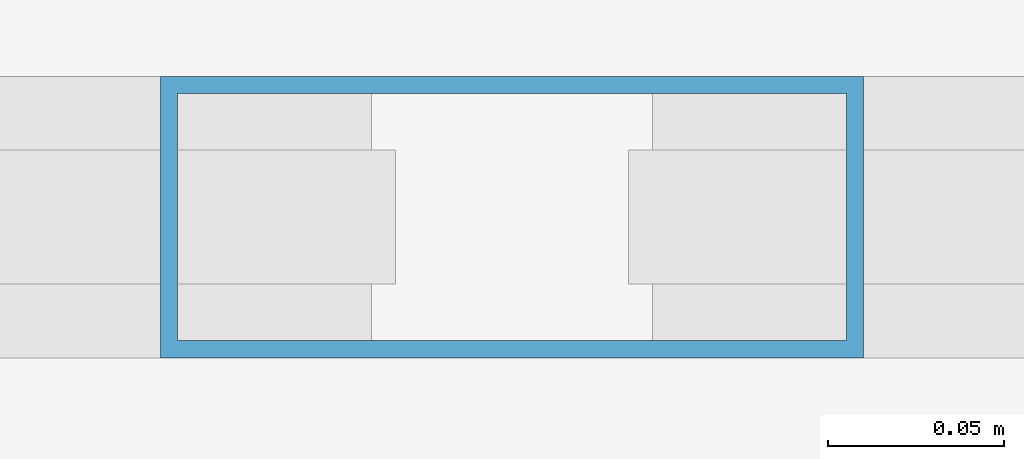
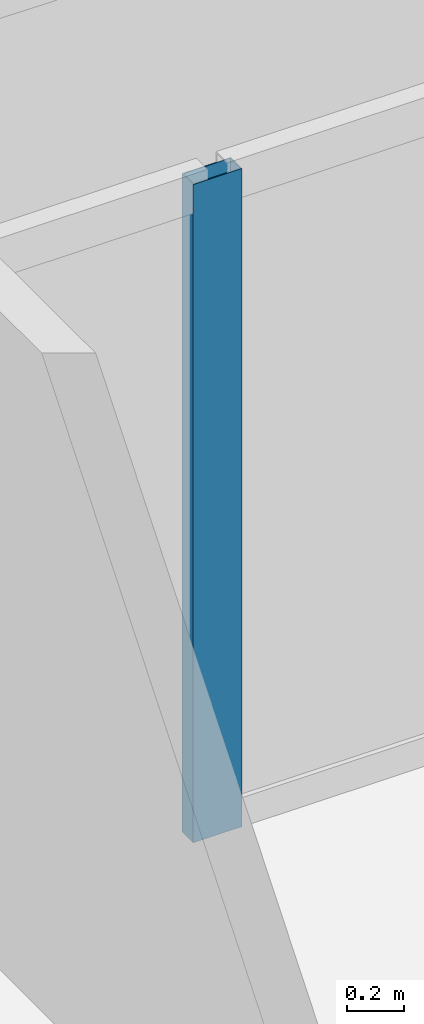
# One storey, part 12 of 21: 1 member, 1 element without a shape of its own.
"""IFC4 building model written with IfcOpenShell, lengths in metres."""

from ifc_helpers import new_model, si_unit, direction, frame, origin, origin_2d, place, context, subcontext, project, spatial, hollow_rectangle, extrude, source, transform, mapped, material, layer, layer_set, material_profile, profile_set, type_object, element, aggregate, save


model = new_model("IFC4")

# Units and contexts
model_context = context("Model", 3, precision=1e-05, world=origin(), true_north=direction((0.0, 1.0)))
body_context = subcontext(model_context, "Body", "Model", "MODEL_VIEW")
ifc_project = project(units=[si_unit("LENGTHUNIT", "METRE"), si_unit("AREAUNIT", "SQUARE_METRE"), si_unit("VOLUMEUNIT", "CUBIC_METRE"), si_unit("PLANEANGLEUNIT", "RADIAN"), si_unit("MASSUNIT", "GRAM", prefix="KILO")], contexts=[model_context])

# Site, building, storey
site_placement = place(None, origin())
site = spatial("IfcSite", under=ifc_project, at=site_placement, CompositionType="ELEMENT")
building_placement = place(site_placement, origin())
building = spatial("IfcBuilding", under=site, at=building_placement, Name="Kolveth Station Tower", CompositionType="ELEMENT")
storey_placement = place(building_placement, frame((0.0, 0.0, 148.39990234375)))
storey = spatial("IfcBuildingStorey", under=building, at=storey_placement, Name="L41", CompositionType="ELEMENT", Elevation=148.39990234375)

# Curtain wall, member
ifc_material_1 = material(Name="Aluminium 6063-T6 and low-E dark glass", Category="aluminium")
ifc_layer = layer(ifc_material_1, 0.18994140625)
ifc_layer_set = layer_set([ifc_layer], Name="Aluminium 6063-T6 and low-E dark glass")
curtain_wall_type = type_object("IfcCurtainWallType", Name="CurtainWall_CW-Z2", PredefinedType="NOTDEFINED", material=ifc_layer_set)
curtain_wall_placement = place(storey_placement, origin())
curtain_wall = element("IfcCurtainWall", 1, at=curtain_wall_placement, inside=storey, type_object=curtain_wall_type, Name="L41 Inner Thermal Curtain Wall 6", PredefinedType="NOTDEFINED")
ifc_material_2 = material(Name="Black anodized aluminium 6063-T6", Category="aluminium")
ifc_material_profile = material_profile(ifc_material_2, hollow_rectangle(XDim=0.080078125, YDim=0.199951171875, WallThickness=0.0048828125, at=origin_2d()), Name="ALU-80x200x5")
ifc_profile_set = profile_set([ifc_material_profile], Name="Black anodized aluminium 6063-T6")
member_type = type_object("IfcMemberType", Name="Mullion_ML2", PredefinedType="MULLION", material=ifc_profile_set)
shared_shape = source(origin(), body_context, "Body", "SweptSolid", [
    extrude(hollow_rectangle(XDim=0.080078125, YDim=0.199951171875, WallThickness=0.0048828125, at=origin_2d()), origin(), (0.0, 0.0, 1.0), 2.840087890625),
])
member_placement = place(storey_placement, frame((23.5, 35.179931640625, 0.0), z_axis=(0.0, 0.0, 1.0), x_axis=(0.0, -1.0, 0.0)))
member = element("IfcMember", 2, at=member_placement, type_object=member_type, Name="CW-Z2 mullion 2", PredefinedType="MULLION", context=body_context, shape_type="MappedRepresentation", body=[
    mapped(shared_shape, transform((0.0, 0.0, 0.0), x_axis=(1.0, 0.0, 0.0), y_axis=(0.0, 1.0, 0.0), z_axis=(0.0, 0.0, 1.0), scale=1.0)),
])
aggregate(curtain_wall, [member])

save(model, "model.ifc")
